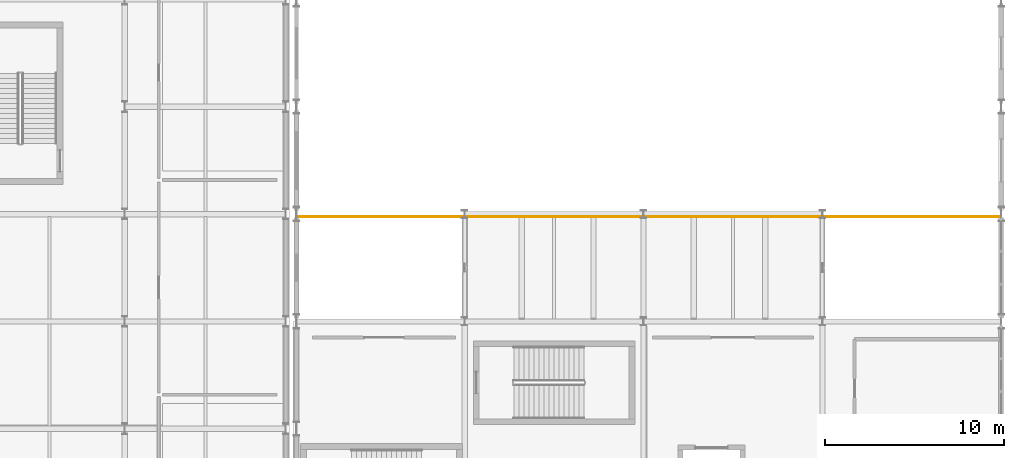
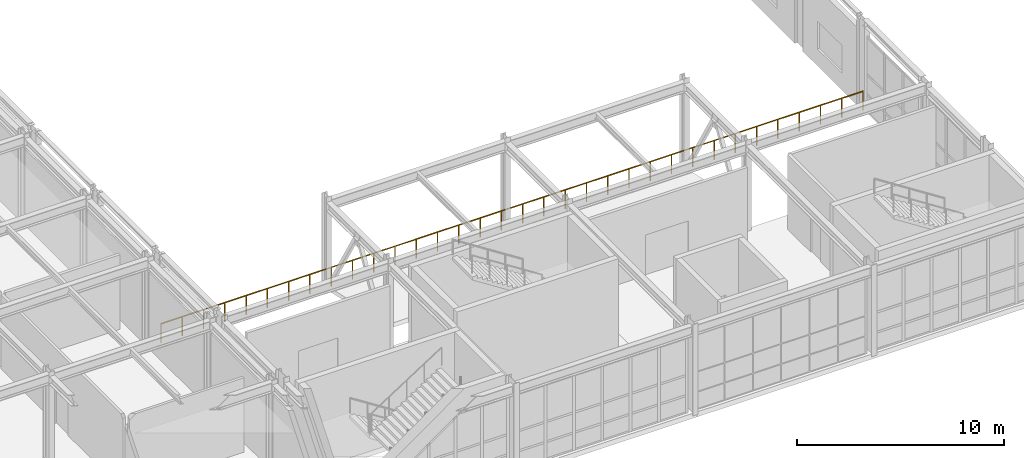
# One storey, part 209 of 210: 1 railing.
"""IFC4 building model written with IfcOpenShell, lengths in metres."""

from ifc_helpers import new_model, si_unit, direction, frame, origin, origin_2d, place, context, subcontext, project, spatial, circle, extrude, material, type_object, element, save


model = new_model("IFC4")

# Units and contexts
model_context = context("Model", 3, precision=1e-05, world=origin(), true_north=direction((0.0, 1.0)))
body_context = subcontext(model_context, "Body", "Model", "MODEL_VIEW")
ifc_project = project(units=[si_unit("LENGTHUNIT", "METRE"), si_unit("AREAUNIT", "SQUARE_METRE"), si_unit("VOLUMEUNIT", "CUBIC_METRE"), si_unit("PLANEANGLEUNIT", "RADIAN"), si_unit("MASSUNIT", "GRAM", prefix="KILO")], contexts=[model_context])

# Site, building, storey
site_placement = place(None, origin())
site = spatial("IfcSite", under=ifc_project, at=site_placement, CompositionType="ELEMENT")
building_placement = place(site_placement, origin())
building = spatial("IfcBuilding", under=site, at=building_placement, Name="Kaldris Quays Convention Centre", CompositionType="ELEMENT")
storey_placement = place(building_placement, frame((0.0, 0.0, 6.0)))
storey = spatial("IfcBuildingStorey", under=building, at=storey_placement, Name="L01", CompositionType="ELEMENT", Elevation=6.0)

# Railing
ifc_material = material(Name="Stainless steel 1.4401", Category="steel")
railing_type = type_object("IfcRailingType", Name="INTERIOR BALUSTRADE BL02", PredefinedType="BALUSTRADE", material=ifc_material)
railing_placement = place(storey_placement, frame((164.64990234375, 73.85009765625, 0.0)))
element("IfcRailing", 1, at=railing_placement, inside=storey, type_object=railing_type, Name="L01 Gallery Balustrade GRD-V2-L01", PredefinedType="BALUSTRADE", context=body_context, shape_type="SweptSolid", body=[
    extrude(circle(Radius=0.02392578125, at=origin_2d()), frame((0.0, 0.0, 1.11572265625), z_axis=(1.0, 0.0, 0.0), x_axis=(0.0, 1.0, 0.0)), (0.0, 0.0, 1.0), 39.25),
    extrude(circle(Radius=0.02099609375, at=origin_2d()), origin(), (0.0, 0.0, 1.0), 1.091796875),
    extrude(circle(Radius=0.02099609375, at=origin_2d()), frame((1.189453125, 0.0, 0.0)), (0.0, 0.0, 1.0), 1.091796875),
    extrude(circle(Radius=0.02099609375, at=origin_2d()), frame((2.37890625, 0.0, 0.0)), (0.0, 0.0, 1.0), 1.091796875),
    extrude(circle(Radius=0.02099609375, at=origin_2d()), frame((3.568115234375, 0.0, 0.0)), (0.0, 0.0, 1.0), 1.091796875),
    extrude(circle(Radius=0.02099609375, at=origin_2d()), frame((4.757568359375, 0.0, 0.0)), (0.0, 0.0, 1.0), 1.091796875),
    extrude(circle(Radius=0.02099609375, at=origin_2d()), frame((5.947021484375, 0.0, 0.0)), (0.0, 0.0, 1.0), 1.091796875),
    extrude(circle(Radius=0.02099609375, at=origin_2d()), frame((7.136474609375, 0.0, 0.0)), (0.0, 0.0, 1.0), 1.091796875),
    extrude(circle(Radius=0.02099609375, at=origin_2d()), frame((8.32568359375, 0.0, 0.0)), (0.0, 0.0, 1.0), 1.091796875),
    extrude(circle(Radius=0.02099609375, at=origin_2d()), frame((9.51513671875, 0.0, 0.0)), (0.0, 0.0, 1.0), 1.091796875),
    extrude(circle(Radius=0.02099609375, at=origin_2d()), frame((10.70458984375, 0.0, 0.0)), (0.0, 0.0, 1.0), 1.091796875),
    extrude(circle(Radius=0.02099609375, at=origin_2d()), frame((11.89404296875, 0.0, 0.0)), (0.0, 0.0, 1.0), 1.091796875),
    extrude(circle(Radius=0.02099609375, at=origin_2d()), frame((13.083251953125, 0.0, 0.0)), (0.0, 0.0, 1.0), 1.091796875),
    extrude(circle(Radius=0.02099609375, at=origin_2d()), frame((14.272705078125, 0.0, 0.0)), (0.0, 0.0, 1.0), 1.091796875),
    extrude(circle(Radius=0.02099609375, at=origin_2d()), frame((15.462158203125, 0.0, 0.0)), (0.0, 0.0, 1.0), 1.091796875),
    extrude(circle(Radius=0.02099609375, at=origin_2d()), frame((16.651611328125, 0.0, 0.0)), (0.0, 0.0, 1.0), 1.091796875),
    extrude(circle(Radius=0.02099609375, at=origin_2d()), frame((17.8408203125, 0.0, 0.0)), (0.0, 0.0, 1.0), 1.091796875),
    extrude(circle(Radius=0.02099609375, at=origin_2d()), frame((19.0302734375, 0.0, 0.0)), (0.0, 0.0, 1.0), 1.091796875),
    extrude(circle(Radius=0.02099609375, at=origin_2d()), frame((20.2197265625, 0.0, 0.0)), (0.0, 0.0, 1.0), 1.091796875),
    extrude(circle(Radius=0.02099609375, at=origin_2d()), frame((21.4091796875, 0.0, 0.0)), (0.0, 0.0, 1.0), 1.091796875),
    extrude(circle(Radius=0.02099609375, at=origin_2d()), frame((22.598388671875, 0.0, 0.0)), (0.0, 0.0, 1.0), 1.091796875),
    extrude(circle(Radius=0.02099609375, at=origin_2d()), frame((23.787841796875, 0.0, 0.0)), (0.0, 0.0, 1.0), 1.091796875),
    extrude(circle(Radius=0.02099609375, at=origin_2d()), frame((24.977294921875, 0.0, 0.0)), (0.0, 0.0, 1.0), 1.091796875),
    extrude(circle(Radius=0.02099609375, at=origin_2d()), frame((26.166748046875, 0.0, 0.0)), (0.0, 0.0, 1.0), 1.091796875),
    extrude(circle(Radius=0.02099609375, at=origin_2d()), frame((27.35595703125, 0.0, 0.0)), (0.0, 0.0, 1.0), 1.091796875),
    extrude(circle(Radius=0.02099609375, at=origin_2d()), frame((28.54541015625, 0.0, 0.0)), (0.0, 0.0, 1.0), 1.091796875),
    extrude(circle(Radius=0.02099609375, at=origin_2d()), frame((29.73486328125, 0.0, 0.0)), (0.0, 0.0, 1.0), 1.091796875),
    extrude(circle(Radius=0.02099609375, at=origin_2d()), frame((30.92431640625, 0.0, 0.0)), (0.0, 0.0, 1.0), 1.091796875),
    extrude(circle(Radius=0.02099609375, at=origin_2d()), frame((32.113525390625, 0.0, 0.0)), (0.0, 0.0, 1.0), 1.091796875),
    extrude(circle(Radius=0.02099609375, at=origin_2d()), frame((33.302978515625, 0.0, 0.0)), (0.0, 0.0, 1.0), 1.091796875),
    extrude(circle(Radius=0.02099609375, at=origin_2d()), frame((34.492431640625, 0.0, 0.0)), (0.0, 0.0, 1.0), 1.091796875),
    extrude(circle(Radius=0.02099609375, at=origin_2d()), frame((35.681884765625, 0.0, 0.0)), (0.0, 0.0, 1.0), 1.091796875),
    extrude(circle(Radius=0.02099609375, at=origin_2d()), frame((36.87109375, 0.0, 0.0)), (0.0, 0.0, 1.0), 1.091796875),
    extrude(circle(Radius=0.02099609375, at=origin_2d()), frame((38.060546875, 0.0, 0.0)), (0.0, 0.0, 1.0), 1.091796875),
    extrude(circle(Radius=0.02099609375, at=origin_2d()), frame((39.25, 0.0, 0.0)), (0.0, 0.0, 1.0), 1.091796875),
])

save(model, "model.ifc")
